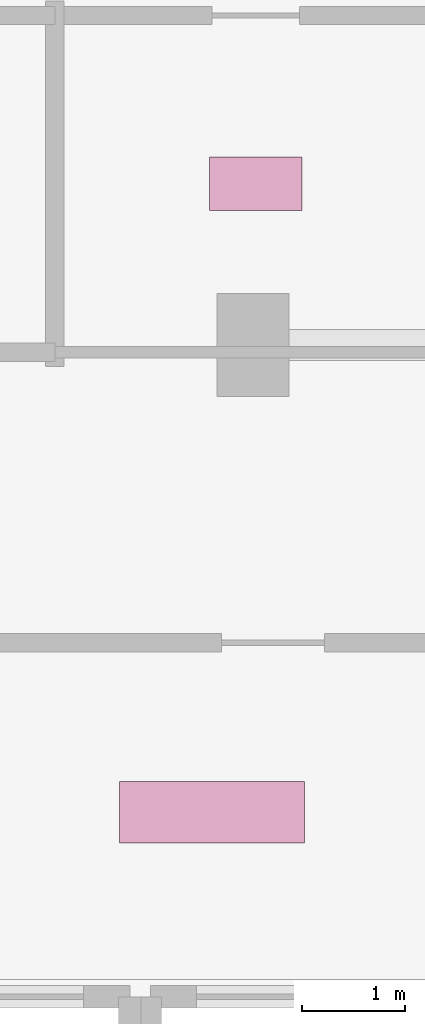
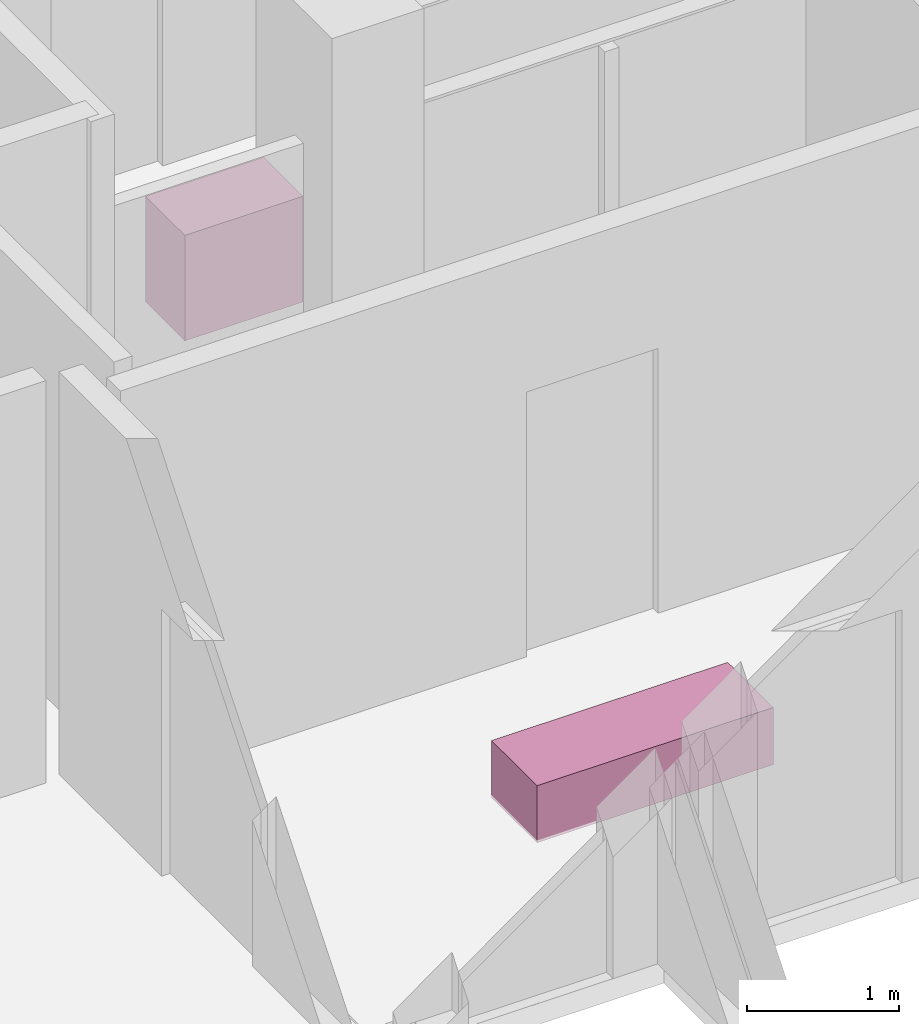
# One storey, part 34 of 34: 2 furnishings.
"""IFC4 building model written with IfcOpenShell, lengths in metres."""

from ifc_helpers import new_model, si_unit, direction, frame, origin, origin_2d, place, context, subcontext, project, spatial, rectangle, extrude, material, type_object, element, save


model = new_model("IFC4")

# Units and contexts
model_context = context("Model", 3, precision=1e-05, world=origin(), true_north=direction((0.0, 1.0)))
body_context = subcontext(model_context, "Body", "Model", "MODEL_VIEW")
ifc_project = project(units=[si_unit("LENGTHUNIT", "METRE"), si_unit("AREAUNIT", "SQUARE_METRE"), si_unit("VOLUMEUNIT", "CUBIC_METRE"), si_unit("PLANEANGLEUNIT", "RADIAN"), si_unit("MASSUNIT", "GRAM", prefix="KILO")], contexts=[model_context])

# Site, building, storey
site_placement = place(None, origin())
site = spatial("IfcSite", under=ifc_project, at=site_placement, CompositionType="ELEMENT")
building_placement = place(site_placement, origin())
building = spatial("IfcBuilding", under=site, at=building_placement, Name="Vorneva Point Tower", CompositionType="ELEMENT")
storey_placement = place(building_placement, frame((0.0, 0.0, 182.60009765625)))
storey = spatial("IfcBuildingStorey", under=building, at=storey_placement, Name="L49", CompositionType="ELEMENT", Elevation=182.60009765625)

# Furnishings
ifc_material_1 = material(Name="Engineered oak fire-rated door leaf", Category="wood")
furniture_type_1 = type_object("IfcFurnitureType", Name="FUR-BNC-1800", AssemblyPlace="NOTDEFINED", PredefinedType="NOTDEFINED", material=ifc_material_1)
furnishing_1_placement = place(storey_placement, frame((35.0, 26.0, -0.005126953125), z_axis=(0.0, 0.0, 1.0), x_axis=(1.0, 0.0, 0.0)))
element("IfcFurnishingElement", 1, at=furnishing_1_placement, inside=storey, type_object=furniture_type_1, Name="L49 Lift Lobby Seating Bench", ObjectType="L49 Lift Lobby Seating Bench", context=body_context, shape_type="SweptSolid", body=[
    extrude(rectangle(XDim=1.800048828125, YDim=0.60009765625, at=origin_2d()), origin(), (0.0, 0.0, 1.0), 0.4599609375),
])
ifc_material_2 = material(Name="Vitreous china and granite top", Category="masonry")
furniture_type_2 = type_object("IfcFurnitureType", Name="FUR-VAN-900", AssemblyPlace="NOTDEFINED", PredefinedType="NOTDEFINED", material=ifc_material_2)
furnishing_2_placement = place(storey_placement, frame((35.425048828125, 32.1201171875, -0.005126953125), z_axis=(0.0, 0.0, 1.0), x_axis=(1.0, 0.0, 0.0)))
element("IfcFurnishingElement", 2, at=furnishing_2_placement, inside=storey, type_object=furniture_type_2, Name="L49 Accessible WC Vanity Unit", ObjectType="L49 Accessible WC Vanity Unit", context=body_context, shape_type="SweptSolid", body=[
    extrude(rectangle(XDim=0.89990234375, YDim=0.52001953125, at=origin_2d()), origin(), (0.0, 0.0, 1.0), 0.85009765625),
])

save(model, "model.ifc")
